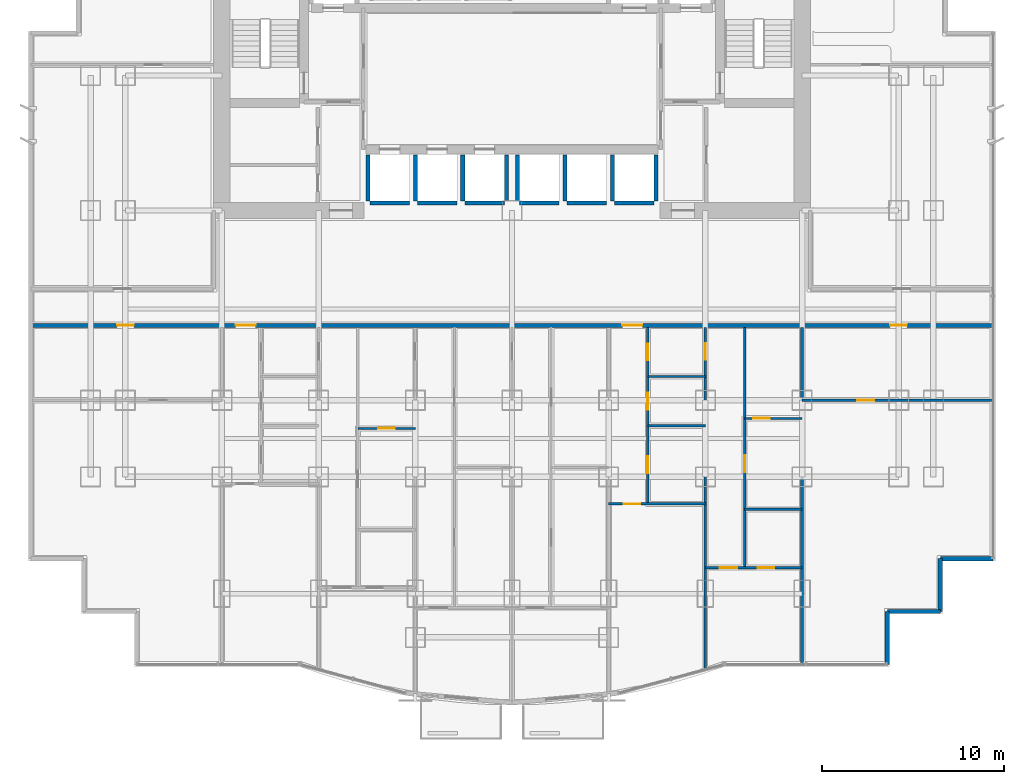
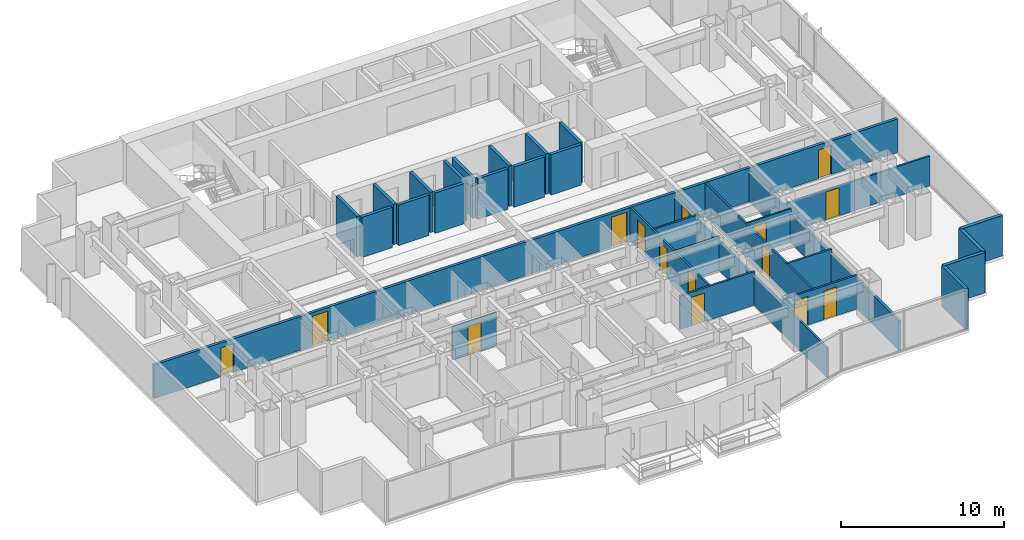
# One storey, part 8 of 12: 31 walls, 15 doors, 15 openings.
"""IFC4 building model written with IfcOpenShell, lengths in metres."""

from ifc_helpers import new_model, si_unit, direction, frame, frame_2d, origin, place, context, subcontext, project, spatial, rectangle, extrude, material, layer, layer_set, type_object, element, fill, save


model = new_model("IFC4")

# Units and contexts
model_context = context("Model", 3, precision=1e-05, world=origin(), true_north=direction((0.0, 1.0)))
body_context = subcontext(model_context, "Body", "Model", "MODEL_VIEW")
ifc_project = project(units=[si_unit("LENGTHUNIT", "METRE"), si_unit("AREAUNIT", "SQUARE_METRE"), si_unit("VOLUMEUNIT", "CUBIC_METRE"), si_unit("PLANEANGLEUNIT", "RADIAN"), si_unit("MASSUNIT", "GRAM", prefix="KILO")], contexts=[model_context])

# Site, building, storey
site_placement = place(None, origin())
site = spatial("IfcSite", under=ifc_project, at=site_placement, CompositionType="ELEMENT")
building_placement = place(site_placement, origin())
building = spatial("IfcBuilding", under=site, at=building_placement, Name="Qianlan Lanfeng Residences", CompositionType="ELEMENT")
storey_placement = place(building_placement, frame((0.0, 0.0, 67.10009765625)))
storey = spatial("IfcBuildingStorey", under=building, at=storey_placement, Name="L18", CompositionType="ELEMENT", Elevation=67.10009765625)

# Walls
ifc_material_1 = material(Name="Concrete C42", Category="concrete")
ifc_layer_1 = layer(ifc_material_1, 0.239990234375)
ifc_layer_set_1 = layer_set([ifc_layer_1], Name="Concrete C42")
wall_type_1 = type_object("IfcWallType", Name="EW-240", PredefinedType="SOLIDWALL", material=ifc_layer_set_1)
for number, where, z_axis, x_axis, name in (
    (1, (47.080078125, 0.320068359375, 0.0), (0.0, 0.0, 1.0), (0.0, 1.0, 0.0), "L18 Exterior Facade Spandrel Wall 7"),
    (2, (47.080078125, 3.219970703125, 0.0), (0.0, 0.0, 1.0), (1.0, 0.0, 0.0), "L18 Exterior Facade Spandrel Wall 8"),
):
    element("IfcWall", number, at=place(storey_placement, frame(where, z_axis=z_axis, x_axis=x_axis)), inside=storey, type_object=wall_type_1, Name=name, PredefinedType="SOLIDWALL", context=body_context, shape_type="SweptSolid", body=[
        extrude(rectangle(XDim=2.89990234375, YDim=0.239990234375, at=frame_2d((1.449951171875, 0.0))), origin(), (0.0, 0.0, 1.0), 3.02978515625),
    ])
wall_1_placement = place(storey_placement, frame((49.97998046875, 3.219970703125, 0.0), z_axis=(0.0, 0.0, 1.0), x_axis=(0.0, 1.0, 0.0)))
element("IfcWall", 3, at=wall_1_placement, inside=storey, type_object=wall_type_1, Name="L18 Exterior Facade Spandrel Wall 9", PredefinedType="SOLIDWALL", context=body_context, shape_type="SweptSolid", body=[
    extrude(rectangle(XDim=2.900146484375, YDim=0.239990234375, at=frame_2d((1.4501953125, 0.0))), origin(), (0.0, 0.0, 1.0), 3.02978515625),
])
wall_2_placement = place(storey_placement, frame((49.97998046875, 6.1201171875, 0.0), z_axis=(0.0, 0.0, 1.0), x_axis=(1.0, 0.0, 0.0)))
element("IfcWall", 4, at=wall_2_placement, inside=storey, type_object=wall_type_1, Name="L18 Exterior Facade Spandrel Wall 10", PredefinedType="SOLIDWALL", context=body_context, shape_type="SweptSolid", body=[
    extrude(rectangle(XDim=2.89990234375, YDim=0.239990234375, at=frame_2d((1.449951171875, 0.0))), origin(), (0.0, 0.0, 1.0), 3.02978515625),
])

# Wall, opening, door
ifc_material_2 = material(Name="Demountable Acoustic Framing Partition 110 mm")
ifc_layer_2 = layer(ifc_material_2, 0.110107421875)
ifc_layer_set_2 = layer_set([ifc_layer_2], Name="Demountable Acoustic Framing Partition 110 mm")
wall_type_2 = type_object("IfcWallType", Name="PW-110", PredefinedType="MOVABLE", material=ifc_layer_set_2)
wall_3_placement = place(storey_placement, frame((18.050048828125, 13.256103515625, 0.0), z_axis=(0.0, 0.0, 1.0), x_axis=(1.0, 0.0, 0.0)))
wall_3 = element("IfcWall", 5, at=wall_3_placement, inside=storey, type_object=wall_type_2, Name="L18 U01 Wardrobe Split", PredefinedType="MOVABLE", context=body_context, shape_type="SweptSolid", body=[
    extrude(rectangle(XDim=3.14990234375, YDim=0.110107421875, at=frame_2d((1.574951171875, 0.0))), origin(), (0.0, 0.0, 1.0), 2.52001953125),
])
opening_1_placement = place(wall_3_placement, frame((1.114990234375, 0.0, 0.0)))
opening_1 = element("IfcOpeningElement", 6, at=opening_1_placement, cuts=wall_3, Name="Opening L18-D25", PredefinedType="OPENING", context=body_context, shape_type="SweptSolid", body=[
    extrude(rectangle(XDim=0.919921875, YDim=2.14990234375, at=frame_2d((0.4599609375, 1.074951171875))), frame((0.0, 0.06494140625, 0.0), z_axis=(0.0, -1.0, 0.0), x_axis=(1.0, 0.0, 0.0)), (0.0, 0.0, 1.0), 0.130126953125),
])
ifc_material_3 = material(Name="Glazed Timber Kitchen/Study Door", Category="wood")
door_type_1 = type_object("IfcDoorType", Name="DT-INT", OperationType="NOTDEFINED", PredefinedType="DOOR", material=ifc_material_3)
door_1_placement = place(opening_1_placement, origin())
door_1 = element("IfcDoor", 7, at=door_1_placement, inside=storey, type_object=door_type_1, Name="L18 U01 Dressing Inner Door L18-D25 (DT-INT)", OperationType="SINGLE_SWING_LEFT", OverallHeight=2.14990234375, OverallWidth=0.919921875, PredefinedType="DOOR", context=body_context, shape_type="SweptSolid", body=[
    extrude(rectangle(XDim=0.919921875, YDim=2.14990234375, at=frame_2d((0.4599609375, 1.074951171875))), frame((0.0, 0.02490234375, 0.0), z_axis=(0.0, -1.0, 0.0), x_axis=(1.0, 0.0, 0.0)), (0.0, 0.0, 1.0), 0.050048828125),
])
fill(opening_1, door_1)

wall_4_placement = place(storey_placement, frame((39.25, 13.81005859375, 0.0), z_axis=(0.0, 0.0, 1.0), x_axis=(1.0, 0.0, 0.0)))
wall_4 = element("IfcWall", 8, at=wall_4_placement, inside=storey, type_object=wall_type_2, Name="L18 U02 Wardrobe Split", PredefinedType="MOVABLE", context=body_context, shape_type="SweptSolid", body=[
    extrude(rectangle(XDim=3.14990234375, YDim=0.110107421875, at=frame_2d((1.574951171875, 0.0))), origin(), (0.0, 0.0, 1.0), 2.52001953125),
])
opening_2_placement = place(wall_4_placement, frame((0.465087890625, 0.0, 0.0)))
opening_2 = element("IfcOpeningElement", 9, at=opening_2_placement, cuts=wall_4, Name="Opening L18-D41", PredefinedType="OPENING", context=body_context, shape_type="SweptSolid", body=[
    extrude(rectangle(XDim=0.919921875, YDim=2.14990234375, at=frame_2d((0.4599609375, 1.074951171875))), frame((0.0, 0.06494140625, 0.0), z_axis=(0.0, -1.0, 0.0), x_axis=(1.0, 0.0, 0.0)), (0.0, 0.0, 1.0), 0.130126953125),
])
door_2_placement = place(opening_2_placement, frame((0.919921875, 0.0, 0.0), z_axis=(0.0, 0.0, 1.0), x_axis=(-1.0, 0.0, 0.0)))
door_2 = element("IfcDoor", 10, at=door_2_placement, inside=storey, type_object=door_type_1, Name="L18 U02 Dressing Inner Door L18-D41 (DT-INT)", OperationType="SINGLE_SWING_RIGHT", OverallHeight=2.14990234375, OverallWidth=0.919921875, PredefinedType="DOOR", context=body_context, shape_type="SweptSolid", body=[
    extrude(rectangle(XDim=0.919921875, YDim=2.14990234375, at=frame_2d((0.4599609375, 1.074951171875))), frame((0.0, 0.02490234375, 0.0), z_axis=(0.0, -1.0, 0.0), x_axis=(1.0, 0.0, 0.0)), (0.0, 0.0, 1.0), 0.050048828125),
])
fill(opening_2, door_2)

ifc_material_4 = material(Name="Moisture-Resistant Gypsum Partition 135 mm")
ifc_layer_3 = layer(ifc_material_4, 0.135009765625)
ifc_layer_set_3 = layer_set([ifc_layer_3], Name="Moisture-Resistant Gypsum Partition 135 mm")
wall_type_3 = type_object("IfcWallType", Name="PW-135", PredefinedType="PARTITIONING", material=ifc_layer_set_3)
wall_5_placement = place(storey_placement, frame((37.10009765625, 0.076904296875, 0.0), z_axis=(0.0, 0.0, 1.0), x_axis=(0.0, 1.0, 0.0)))
wall_5 = element("IfcWall", 11, at=wall_5_placement, inside=storey, type_object=wall_type_3, Name="L18 U02 Bay Spine Wall 1", PredefinedType="PARTITIONING", context=body_context, shape_type="SweptSolid", body=[
    extrude(rectangle(XDim=18.72314453125, YDim=0.135009765625, at=frame_2d((9.361572265625, 0.0))), origin(), (0.0, 0.0, 1.0), 2.224853515625),
])
opening_3_placement = place(wall_5_placement, frame((16.93798828125, 0.0, 0.0)))
opening_3 = element("IfcOpeningElement", 12, at=opening_3_placement, cuts=wall_5, Name="Opening L18-D33", PredefinedType="OPENING", context=body_context, shape_type="SweptSolid", body=[
    extrude(rectangle(XDim=0.919921875, YDim=2.10498046875, at=frame_2d((0.4599609375, 1.052490234375))), frame((0.0, 0.07763671875, 0.0), z_axis=(0.0, -1.0, 0.0), x_axis=(1.0, 0.0, 0.0)), (0.0, 0.0, 1.0), 0.155029296875),
])
door_3_placement = place(opening_3_placement, origin())
door_3 = element("IfcDoor", 13, at=door_3_placement, inside=storey, type_object=door_type_1, Name="L18 U02 Internal Hall Door L18-D33 (DT-INT)", OperationType="SINGLE_SWING_LEFT", OverallHeight=2.10498046875, OverallWidth=0.919921875, PredefinedType="DOOR", context=body_context, shape_type="SweptSolid", body=[
    extrude(rectangle(XDim=0.919921875, YDim=2.10498046875, at=frame_2d((0.4599609375, 1.052490234375))), frame((0.0, 0.02490234375, 0.0), z_axis=(0.0, -1.0, 0.0), x_axis=(1.0, 0.0, 0.0)), (0.0, 0.0, 1.0), 0.050048828125),
])
fill(opening_3, door_3)

wall_6_placement = place(storey_placement, frame((31.800048828125, 9.113037109375, 0.0), z_axis=(0.0, 0.0, 1.0), x_axis=(1.0, 0.0, 0.0)))
wall_6 = element("IfcWall", 14, at=wall_6_placement, inside=storey, type_object=wall_type_3, Name="L18 U02 Living Divider", PredefinedType="PARTITIONING", context=body_context, shape_type="SweptSolid", body=[
    extrude(rectangle(XDim=5.300048828125, YDim=0.135009765625, at=frame_2d((2.64990234375, 0.0))), origin(), (0.0, 0.0, 1.0), 2.52001953125),
])
opening_4_placement = place(wall_6_placement, frame((0.81494140625, 0.0, 0.0)))
opening_4 = element("IfcOpeningElement", 15, at=opening_4_placement, cuts=wall_6, Name="Opening L18-D34", PredefinedType="OPENING", context=body_context, shape_type="SweptSolid", body=[
    extrude(rectangle(XDim=0.919921875, YDim=2.14990234375, at=frame_2d((0.4599609375, 1.074951171875))), frame((0.0, 0.07763671875, 0.0), z_axis=(0.0, -1.0, 0.0), x_axis=(1.0, 0.0, 0.0)), (0.0, 0.0, 1.0), 0.155029296875),
])
door_4_placement = place(opening_4_placement, origin())
door_4 = element("IfcDoor", 16, at=door_4_placement, inside=storey, type_object=door_type_1, Name="L18 U02 Living Passage Door L18-D34 (DT-INT)", OperationType="SINGLE_SWING_LEFT", OverallHeight=2.14990234375, OverallWidth=0.919921875, PredefinedType="DOOR", context=body_context, shape_type="SweptSolid", body=[
    extrude(rectangle(XDim=0.919921875, YDim=2.14990234375, at=frame_2d((0.4599609375, 1.074951171875))), frame((0.0, 0.02490234375, 0.0), z_axis=(0.0, -1.0, 0.0), x_axis=(1.0, 0.0, 0.0)), (0.0, 0.0, 1.0), 0.050048828125),
])
fill(opening_4, door_4)

# Wall, openings, doors
wall_7_placement = place(storey_placement, frame((33.949951171875, 9.113037109375, 0.0), z_axis=(0.0, 0.0, 1.0), x_axis=(0.0, 1.0, 0.0)))
wall_7 = element("IfcWall", 17, at=wall_7_placement, inside=storey, type_object=wall_type_3, Name="L18 U02 Entry Hall Spine", PredefinedType="PARTITIONING", context=body_context, shape_type="SweptSolid", body=[
    extrude(rectangle(XDim=9.68701171875, YDim=0.135009765625, at=frame_2d((4.843505859375, 0.0))), origin(), (0.0, 0.0, 1.0), 2.52001953125),
])
opening_5_placement = place(wall_7_placement, frame((1.68310546875, 0.0, 0.0)))
opening_5 = element("IfcOpeningElement", 18, at=opening_5_placement, cuts=wall_7, Name="Opening L18-D35", PredefinedType="OPENING", context=body_context, shape_type="SweptSolid", body=[
    extrude(rectangle(XDim=0.919921875, YDim=2.14990234375, at=frame_2d((0.4599609375, 1.074951171875))), frame((0.0, 0.07763671875, 0.0), z_axis=(0.0, -1.0, 0.0), x_axis=(1.0, 0.0, 0.0)), (0.0, 0.0, 1.0), 0.155029296875),
])
opening_6_placement = place(wall_7_placement, frame((5.177001953125, 0.0, 0.0)))
opening_6 = element("IfcOpeningElement", 19, at=opening_6_placement, cuts=wall_7, Name="Opening L18-D36", PredefinedType="OPENING", context=body_context, shape_type="SweptSolid", body=[
    extrude(rectangle(XDim=0.919921875, YDim=2.14990234375, at=frame_2d((0.4599609375, 1.074951171875))), frame((0.0, 0.07763671875, 0.0), z_axis=(0.0, -1.0, 0.0), x_axis=(1.0, 0.0, 0.0)), (0.0, 0.0, 1.0), 0.155029296875),
])
opening_7_placement = place(wall_7_placement, frame((7.886962890625, 0.0, 0.0)))
opening_7 = element("IfcOpeningElement", 20, at=opening_7_placement, cuts=wall_7, Name="Opening L18-D37", PredefinedType="OPENING", context=body_context, shape_type="SweptSolid", body=[
    extrude(rectangle(XDim=0.89990234375, YDim=2.14990234375, at=frame_2d((0.449951171875, 1.074951171875))), frame((0.0, 0.07763671875, 0.0), z_axis=(0.0, -1.0, 0.0), x_axis=(1.0, 0.0, 0.0)), (0.0, 0.0, 1.0), 0.155029296875),
])
door_5_placement = place(opening_5_placement, origin())
door_5 = element("IfcDoor", 21, at=door_5_placement, inside=storey, type_object=door_type_1, Name="L18 U02 Study Door L18-D35 (DT-INT)", OperationType="SINGLE_SWING_LEFT", OverallHeight=2.14990234375, OverallWidth=0.919921875, PredefinedType="DOOR", context=body_context, shape_type="SweptSolid", body=[
    extrude(rectangle(XDim=0.919921875, YDim=2.14990234375, at=frame_2d((0.4599609375, 1.074951171875))), frame((0.0, 0.02490234375, 0.0), z_axis=(0.0, -1.0, 0.0), x_axis=(1.0, 0.0, 0.0)), (0.0, 0.0, 1.0), 0.050048828125),
])
fill(opening_5, door_5)
door_6_placement = place(opening_6_placement, origin())
door_6 = element("IfcDoor", 22, at=door_6_placement, inside=storey, type_object=door_type_1, Name="L18 U02 Kitchen Door L18-D36 (DT-INT)", OperationType="SINGLE_SWING_RIGHT", OverallHeight=2.14990234375, OverallWidth=0.919921875, PredefinedType="DOOR", context=body_context, shape_type="SweptSolid", body=[
    extrude(rectangle(XDim=0.919921875, YDim=2.14990234375, at=frame_2d((0.4599609375, 1.074951171875))), frame((0.0, 0.02490234375, 0.0), z_axis=(0.0, -1.0, 0.0), x_axis=(1.0, 0.0, 0.0)), (0.0, 0.0, 1.0), 0.050048828125),
])
fill(opening_6, door_6)
ifc_material_5 = material(Name="Moisture-Resistant Timber Leaf", Category="wood")
door_type_2 = type_object("IfcDoorType", Name="DT-WC", OperationType="NOTDEFINED", PredefinedType="DOOR", material=ifc_material_5)
door_7_placement = place(opening_7_placement, origin())
door_7 = element("IfcDoor", 23, at=door_7_placement, inside=storey, type_object=door_type_2, Name="L18 U02 Bathroom Door L18-D37 (DT-WC)", OperationType="SINGLE_SWING_LEFT", OverallHeight=2.14990234375, OverallWidth=0.89990234375, PredefinedType="DOOR", context=body_context, shape_type="SweptSolid", body=[
    extrude(rectangle(XDim=0.89990234375, YDim=2.14990234375, at=frame_2d((0.449951171875, 1.074951171875))), frame((0.0, 0.02490234375, 0.0), z_axis=(0.0, -1.0, 0.0), x_axis=(1.0, 0.0, 0.0)), (0.0, 0.0, 1.0), 0.050048828125),
])
fill(opening_7, door_7)

# Walls
for number, where, z_axis, x_axis, name in (
    (24, (33.949951171875, 13.39990234375, 0.0), (0.0, 0.0, 1.0), (1.0, 0.0, 0.0), "L18 U02 Kitchen South Wall"),
    (25, (33.949951171875, 16.10009765625, 0.0), (0.0, 0.0, 1.0), (1.0, 0.0, 0.0), "L18 U02 Bathroom South Wall"),
):
    element("IfcWall", number, at=place(storey_placement, frame(where, z_axis=z_axis, x_axis=x_axis)), inside=storey, type_object=wall_type_3, Name=name, PredefinedType="PARTITIONING", context=body_context, shape_type="SweptSolid", body=[
        extrude(rectangle(XDim=3.150146484375, YDim=0.135009765625, at=frame_2d((1.5751953125, 0.0))), origin(), (0.0, 0.0, 1.0), 2.52001953125),
    ])

# Wall, openings, doors
wall_8_placement = place(storey_placement, frame((37.10009765625, 5.6201171875, 0.0), z_axis=(0.0, 0.0, 1.0), x_axis=(1.0, 0.0, 0.0)))
wall_8 = element("IfcWall", 26, at=wall_8_placement, inside=storey, type_object=wall_type_3, Name="L18 U02 Master Bedroom North Wall", PredefinedType="PARTITIONING", context=body_context, shape_type="SweptSolid", body=[
    extrude(rectangle(XDim=5.2998046875, YDim=0.135009765625, at=frame_2d((2.64990234375, 0.0))), origin(), (0.0, 0.0, 1.0), 2.52001953125),
])
opening_8_placement = place(wall_8_placement, frame((0.800048828125, 0.0, 0.0)))
opening_8 = element("IfcOpeningElement", 27, at=opening_8_placement, cuts=wall_8, Name="Opening L18-D38", PredefinedType="OPENING", context=body_context, shape_type="SweptSolid", body=[
    extrude(rectangle(XDim=0.949951171875, YDim=2.14990234375, at=frame_2d((0.47509765625, 1.074951171875))), frame((0.0, 0.07763671875, 0.0), z_axis=(0.0, -1.0, 0.0), x_axis=(1.0, 0.0, 0.0)), (0.0, 0.0, 1.0), 0.155029296875),
])
opening_9_placement = place(wall_8_placement, frame((2.875, 0.0, 0.0)))
opening_9 = element("IfcOpeningElement", 28, at=opening_9_placement, cuts=wall_8, Name="Opening L18-D39", PredefinedType="OPENING", context=body_context, shape_type="SweptSolid", body=[
    extrude(rectangle(XDim=0.89990234375, YDim=2.14990234375, at=frame_2d((0.449951171875, 1.074951171875))), frame((0.0, 0.07763671875, 0.0), z_axis=(0.0, -1.0, 0.0), x_axis=(1.0, 0.0, 0.0)), (0.0, 0.0, 1.0), 0.155029296875),
])
ifc_material_6 = material(Name="Painted Solid-Core Timber Leaf", Category="wood")
door_type_3 = type_object("IfcDoorType", Name="DT-BED", OperationType="NOTDEFINED", PredefinedType="DOOR", material=ifc_material_6)
door_8_placement = place(opening_8_placement, origin())
door_8 = element("IfcDoor", 29, at=door_8_placement, inside=storey, type_object=door_type_3, Name="L18 U02 Master Bedroom Door L18-D38 (DT-BED)", OperationType="SINGLE_SWING_LEFT", OverallHeight=2.14990234375, OverallWidth=0.949951171875, PredefinedType="DOOR", context=body_context, shape_type="SweptSolid", body=[
    extrude(rectangle(XDim=0.949951171875, YDim=2.14990234375, at=frame_2d((0.47509765625, 1.074951171875))), frame((0.0, 0.02490234375, 0.0), z_axis=(0.0, -1.0, 0.0), x_axis=(1.0, 0.0, 0.0)), (0.0, 0.0, 1.0), 0.050048828125),
])
fill(opening_8, door_8)
door_9_placement = place(opening_9_placement, origin())
door_9 = element("IfcDoor", 30, at=door_9_placement, inside=storey, type_object=door_type_2, Name="L18 U02 En-Suite Bathroom Door L18-D39 (DT-WC)", OperationType="SINGLE_SWING_RIGHT", OverallHeight=2.14990234375, OverallWidth=0.89990234375, PredefinedType="DOOR", context=body_context, shape_type="SweptSolid", body=[
    extrude(rectangle(XDim=0.89990234375, YDim=2.14990234375, at=frame_2d((0.449951171875, 1.074951171875))), frame((0.0, 0.02490234375, 0.0), z_axis=(0.0, -1.0, 0.0), x_axis=(1.0, 0.0, 0.0)), (0.0, 0.0, 1.0), 0.050048828125),
])
fill(opening_9, door_9)

# Wall, opening, door
wall_9_placement = place(storey_placement, frame((39.25, 5.6201171875, 0.0), z_axis=(0.0, 0.0, 1.0), x_axis=(0.0, 1.0, 0.0)))
wall_9 = element("IfcWall", 31, at=wall_9_placement, inside=storey, type_object=wall_type_3, Name="L18 U02 Master Passage Wall", PredefinedType="PARTITIONING", context=body_context, shape_type="SweptSolid", body=[
    extrude(rectangle(XDim=13.179931640625, YDim=0.135009765625, at=frame_2d((6.58984375, 0.0))), origin(), (0.0, 0.0, 1.0), 2.52001953125),
])
opening_10_placement = place(wall_9_placement, frame((5.235107421875, 0.0, 0.0)))
opening_10 = element("IfcOpeningElement", 32, at=opening_10_placement, cuts=wall_9, Name="Opening L18-D40", PredefinedType="OPENING", context=body_context, shape_type="SweptSolid", body=[
    extrude(rectangle(XDim=0.919921875, YDim=2.14990234375, at=frame_2d((0.4599609375, 1.074951171875))), frame((0.0, 0.07763671875, 0.0), z_axis=(0.0, -1.0, 0.0), x_axis=(1.0, 0.0, 0.0)), (0.0, 0.0, 1.0), 0.155029296875),
])
door_10_placement = place(opening_10_placement, origin())
door_10 = element("IfcDoor", 33, at=door_10_placement, inside=storey, type_object=door_type_1, Name="L18 U02 Wardrobe Door L18-D40 (DT-INT)", OperationType="SINGLE_SWING_RIGHT", OverallHeight=2.14990234375, OverallWidth=0.919921875, PredefinedType="DOOR", context=body_context, shape_type="SweptSolid", body=[
    extrude(rectangle(XDim=0.919921875, YDim=2.14990234375, at=frame_2d((0.4599609375, 1.074951171875))), frame((0.0, 0.02490234375, 0.0), z_axis=(0.0, -1.0, 0.0), x_axis=(1.0, 0.0, 0.0)), (0.0, 0.0, 1.0), 0.050048828125),
])
fill(opening_10, door_10)

# Wall
wall_10_placement = place(storey_placement, frame((39.25, 8.820068359375, 0.0), z_axis=(0.0, 0.0, 1.0), x_axis=(1.0, 0.0, 0.0)))
element("IfcWall", 34, at=wall_10_placement, inside=storey, type_object=wall_type_3, Name="L18 U02 En-Suite North Wall", PredefinedType="PARTITIONING", context=body_context, shape_type="SweptSolid", body=[
    extrude(rectangle(XDim=3.14990234375, YDim=0.135009765625, at=frame_2d((1.574951171875, 0.0))), origin(), (0.0, 0.0, 1.0), 2.52001953125),
])

# Wall, opening, door
wall_11_placement = place(storey_placement, frame((42.39990234375, 14.800048828125, 0.0), z_axis=(0.0, 0.0, 1.0), x_axis=(1.0, 0.0, 0.0)))
wall_11 = element("IfcWall", 35, at=wall_11_placement, inside=storey, type_object=wall_type_3, Name="L18 SEP Mid Partition", PredefinedType="PARTITIONING", context=body_context, shape_type="SweptSolid", body=[
    extrude(rectangle(XDim=10.380126953125, YDim=0.135009765625, at=frame_2d((5.18994140625, 0.0))), origin(), (0.0, 0.0, 1.0), 2.224853515625),
])
opening_11_placement = place(wall_11_placement, frame((3.030029296875, 0.0, 0.0)))
opening_11 = element("IfcOpeningElement", 36, at=opening_11_placement, cuts=wall_11, Name="Opening L18-D44", PredefinedType="OPENING", context=body_context, shape_type="SweptSolid", body=[
    extrude(rectangle(XDim=0.919921875, YDim=2.10498046875, at=frame_2d((0.4599609375, 1.052490234375))), frame((0.0, 0.07763671875, 0.0), z_axis=(0.0, -1.0, 0.0), x_axis=(1.0, 0.0, 0.0)), (0.0, 0.0, 1.0), 0.155029296875),
])
door_11_placement = place(opening_11_placement, origin())
door_11 = element("IfcDoor", 37, at=door_11_placement, inside=storey, type_object=door_type_1, Name="L18 SEP Inner Door L18-D44 (DT-INT)", OperationType="SINGLE_SWING_RIGHT", OverallHeight=2.10498046875, OverallWidth=0.919921875, PredefinedType="DOOR", context=body_context, shape_type="SweptSolid", body=[
    extrude(rectangle(XDim=0.919921875, YDim=2.10498046875, at=frame_2d((0.4599609375, 1.052490234375))), frame((0.0, 0.02490234375, 0.0), z_axis=(0.0, -1.0, 0.0), x_axis=(1.0, 0.0, 0.0)), (0.0, 0.0, 1.0), 0.050048828125),
])
fill(opening_11, door_11)

# Wall
ifc_material_7 = material(Name="Double-Layer Acoustic Gypsum Stud Wall 180 mm")
ifc_layer_4 = layer(ifc_material_7, 0.179931640625)
ifc_layer_set_4 = layer_set([ifc_layer_4], Name="Double-Layer Acoustic Gypsum Stud Wall 180 mm")
wall_type_4 = type_object("IfcWallType", Name="PW-180", PredefinedType="PARTITIONING", material=ifc_layer_set_4)
wall_12_placement = place(storey_placement, frame((42.39990234375, 0.419921875, 0.0), z_axis=(0.0, 0.0, 1.0), x_axis=(0.0, 1.0, 0.0)))
element("IfcWall", 38, at=wall_12_placement, inside=storey, type_object=wall_type_4, Name="L18 Wing Boundary Party Wall E0", PredefinedType="PARTITIONING", context=body_context, shape_type="SweptSolid", body=[
    extrude(rectangle(XDim=18.380126953125, YDim=0.179931640625, at=frame_2d((9.18994140625, 0.0))), origin(), (0.0, 0.0, 1.0), 2.224853515625),
])

# Wall, openings, doors
ifc_material_8 = material(Name="Autoclaved Aerated Concrete Blockwork 200 mm", Category="masonry")
ifc_layer_5 = layer(ifc_material_8, 0.199951171875)
ifc_layer_set_5 = layer_set([ifc_layer_5], Name="Autoclaved Aerated Concrete Blockwork 200 mm")
wall_type_5 = type_object("IfcWallType", Name="PW-200", PredefinedType="PARTITIONING", material=ifc_layer_set_5)
wall_13_placement = place(storey_placement, frame((0.1201171875, 18.89990234375, 0.0), z_axis=(0.0, 0.0, 1.0), x_axis=(1.0, 0.0, 0.0)))
wall_13 = element("IfcWall", 39, at=wall_13_placement, inside=storey, type_object=wall_type_5, Name="L18 Residential Corridor South Fire Wall", PredefinedType="PARTITIONING", context=body_context, shape_type="SweptSolid", body=[
    extrude(rectangle(XDim=52.759765625, YDim=0.199951171875, at=frame_2d((26.3798828125, 0.0))), origin(), (0.0, 0.0, 1.0), 2.52001953125),
])
opening_12_placement = place(wall_13_placement, frame((11.22998046875, 0.0, 0.0)))
opening_12 = element("IfcOpeningElement", 40, at=opening_12_placement, cuts=wall_13, Name="Opening L18-D14", PredefinedType="OPENING", context=body_context, shape_type="SweptSolid", body=[
    extrude(rectangle(XDim=1.10009765625, YDim=2.25, at=frame_2d((0.550048828125, 1.125))), frame((0.0, 0.10986328125, 0.0), z_axis=(0.0, -1.0, 0.0), x_axis=(1.0, 0.0, 0.0)), (0.0, 0.0, 1.0), 0.219970703125),
])
opening_13_placement = place(wall_13_placement, frame((32.429931640625, 0.0, 0.0)))
opening_13 = element("IfcOpeningElement", 41, at=opening_13_placement, cuts=wall_13, Name="Opening L18-D32", PredefinedType="OPENING", context=body_context, shape_type="SweptSolid", body=[
    extrude(rectangle(XDim=1.10009765625, YDim=2.25, at=frame_2d((0.550048828125, 1.125))), frame((0.0, 0.10986328125, 0.0), z_axis=(0.0, -1.0, 0.0), x_axis=(1.0, 0.0, 0.0)), (0.0, 0.0, 1.0), 0.219970703125),
])
opening_14_placement = place(wall_13_placement, frame((4.735107421875, 0.0, 0.0)))
opening_14 = element("IfcOpeningElement", 42, at=opening_14_placement, cuts=wall_13, Name="Opening L18-D43", PredefinedType="OPENING", context=body_context, shape_type="SweptSolid", body=[
    extrude(rectangle(XDim=0.919921875, YDim=2.14990234375, at=frame_2d((0.4599609375, 1.074951171875))), frame((0.0, 0.10986328125, 0.0), z_axis=(0.0, -1.0, 0.0), x_axis=(1.0, 0.0, 0.0)), (0.0, 0.0, 1.0), 0.219970703125),
])
opening_15_placement = place(wall_13_placement, frame((47.10498046875, 0.0, 0.0)))
opening_15 = element("IfcOpeningElement", 43, at=opening_15_placement, cuts=wall_13, Name="Opening L18-D45", PredefinedType="OPENING", context=body_context, shape_type="SweptSolid", body=[
    extrude(rectangle(XDim=0.919921875, YDim=2.14990234375, at=frame_2d((0.4599609375, 1.074951171875))), frame((0.0, 0.10986328125, 0.0), z_axis=(0.0, -1.0, 0.0), x_axis=(1.0, 0.0, 0.0)), (0.0, 0.0, 1.0), 0.219970703125),
])
door_12_placement = place(opening_14_placement, origin())
door_12 = element("IfcDoor", 44, at=door_12_placement, inside=storey, type_object=door_type_1, Name="L18 SWP Corridor Door L18-D43 (DT-INT)", OperationType="SINGLE_SWING_LEFT", OverallHeight=2.14990234375, OverallWidth=0.919921875, PredefinedType="DOOR", context=body_context, shape_type="SweptSolid", body=[
    extrude(rectangle(XDim=0.919921875, YDim=2.14990234375, at=frame_2d((0.4599609375, 1.074951171875))), frame((0.0, 0.02490234375, 0.0), z_axis=(0.0, -1.0, 0.0), x_axis=(1.0, 0.0, 0.0)), (0.0, 0.0, 1.0), 0.050048828125),
])
fill(opening_14, door_12)
door_13_placement = place(opening_15_placement, origin())
door_13 = element("IfcDoor", 45, at=door_13_placement, inside=storey, type_object=door_type_1, Name="L18 SEP Corridor Door L18-D45 (DT-INT)", OperationType="SINGLE_SWING_LEFT", OverallHeight=2.14990234375, OverallWidth=0.919921875, PredefinedType="DOOR", context=body_context, shape_type="SweptSolid", body=[
    extrude(rectangle(XDim=0.919921875, YDim=2.14990234375, at=frame_2d((0.4599609375, 1.074951171875))), frame((0.0, 0.02490234375, 0.0), z_axis=(0.0, -1.0, 0.0), x_axis=(1.0, 0.0, 0.0)), (0.0, 0.0, 1.0), 0.050048828125),
])
fill(opening_15, door_13)
ifc_material_9 = material(Name="Solid-Core Oak Veneer Fire Door")
door_type_4 = type_object("IfcDoorType", Name="DT-UNIT", OperationType="NOTDEFINED", PredefinedType="DOOR", material=ifc_material_9)
door_14_placement = place(opening_12_placement, origin())
door_14 = element("IfcDoor", 46, at=door_14_placement, inside=storey, type_object=door_type_4, Name="L18 Apartment U01 Entrance Door L18-D14 (DT-UNIT)", OperationType="SINGLE_SWING_RIGHT", OverallHeight=2.25, OverallWidth=1.10009765625, PredefinedType="DOOR", context=body_context, shape_type="SweptSolid", body=[
    extrude(rectangle(XDim=1.10009765625, YDim=2.25, at=frame_2d((0.550048828125, 1.125))), frame((0.0, 0.02490234375, 0.0), z_axis=(0.0, -1.0, 0.0), x_axis=(1.0, 0.0, 0.0)), (0.0, 0.0, 1.0), 0.050048828125),
])
fill(opening_12, door_14)
door_15_placement = place(opening_13_placement, origin())
door_15 = element("IfcDoor", 47, at=door_15_placement, inside=storey, type_object=door_type_4, Name="L18 Apartment U02 Entrance Door L18-D32 (DT-UNIT)", OperationType="SINGLE_SWING_RIGHT", OverallHeight=2.25, OverallWidth=1.10009765625, PredefinedType="DOOR", context=body_context, shape_type="SweptSolid", body=[
    extrude(rectangle(XDim=1.10009765625, YDim=2.25, at=frame_2d((0.550048828125, 1.125))), frame((0.0, 0.02490234375, 0.0), z_axis=(0.0, -1.0, 0.0), x_axis=(1.0, 0.0, 0.0)), (0.0, 0.0, 1.0), 0.050048828125),
])
fill(opening_13, door_15)

# Walls
ifc_material_10 = material(Name="Concrete C49", Category="concrete")
ifc_layer_6 = layer(ifc_material_10, 0.219970703125)
ifc_layer_set_6 = layer_set([ifc_layer_6], Name="Concrete C49")
wall_type_6 = type_object("IfcWallType", Name="SHW-220", PredefinedType="SOLIDWALL", material=ifc_layer_set_6)
wall_14_placement = place(storey_placement, frame((18.60009765625, 25.719970703125, 0.0), z_axis=(0.0, 0.0, 1.0), x_axis=(0.0, 1.0, 0.0)))
element("IfcWall", 48, at=wall_14_placement, inside=storey, type_object=wall_type_6, Name="L18 Lift PL-L1 Shaft Wall W", PredefinedType="SOLIDWALL", context=body_context, shape_type="SweptSolid", body=[
    extrude(rectangle(XDim=2.530029296875, YDim=0.219970703125, at=frame_2d((1.26513671875, 0.0))), origin(), (0.0, 0.0, 1.0), 3.02978515625),
])
wall_15_placement = place(storey_placement, frame((18.719970703125, 25.60009765625, 0.0), z_axis=(0.0, 0.0, 1.0), x_axis=(1.0, 0.0, 0.0)))
element("IfcWall", 49, at=wall_15_placement, inside=storey, type_object=wall_type_6, Name="L18 Lift PL-L1 Shaft Back Wall S", PredefinedType="SOLIDWALL", context=body_context, shape_type="SweptSolid", body=[
    extrude(rectangle(XDim=2.159912109375, YDim=0.219970703125, at=frame_2d((1.080078125, 0.0))), origin(), (0.0, 0.0, 1.0), 3.02978515625),
])
wall_16_placement = place(storey_placement, frame((21.199951171875, 25.719970703125, 0.0), z_axis=(0.0, 0.0, 1.0), x_axis=(0.0, 1.0, 0.0)))
element("IfcWall", 50, at=wall_16_placement, inside=storey, type_object=wall_type_6, Name="L18 Lift PL-L2 Shaft Wall W", PredefinedType="SOLIDWALL", context=body_context, shape_type="SweptSolid", body=[
    extrude(rectangle(XDim=2.530029296875, YDim=0.219970703125, at=frame_2d((1.26513671875, 0.0))), origin(), (0.0, 0.0, 1.0), 3.02978515625),
])
wall_17_placement = place(storey_placement, frame((21.320068359375, 25.60009765625, 0.0), z_axis=(0.0, 0.0, 1.0), x_axis=(1.0, 0.0, 0.0)))
element("IfcWall", 51, at=wall_17_placement, inside=storey, type_object=wall_type_6, Name="L18 Lift PL-L2 Shaft Back Wall S", PredefinedType="SOLIDWALL", context=body_context, shape_type="SweptSolid", body=[
    extrude(rectangle(XDim=2.159912109375, YDim=0.219970703125, at=frame_2d((1.080078125, 0.0))), origin(), (0.0, 0.0, 1.0), 3.02978515625),
])
for number, where, z_axis, x_axis, name in (
    (52, (23.800048828125, 25.719970703125, 0.0), (0.0, 0.0, 1.0), (0.0, 1.0, 0.0), "L18 Lift PL-L3 Shaft Wall W"),
    (53, (26.199951171875, 25.719970703125, 0.0), (0.0, 0.0, 1.0), (0.0, 1.0, 0.0), "L18 Lift PL-L3 Shaft Wall E"),
):
    element("IfcWall", number, at=place(storey_placement, frame(where, z_axis=z_axis, x_axis=x_axis)), inside=storey, type_object=wall_type_6, Name=name, PredefinedType="SOLIDWALL", context=body_context, shape_type="SweptSolid", body=[
        extrude(rectangle(XDim=2.530029296875, YDim=0.219970703125, at=frame_2d((1.26513671875, 0.0))), origin(), (0.0, 0.0, 1.0), 3.02978515625),
    ])
wall_18_placement = place(storey_placement, frame((23.919921875, 25.60009765625, 0.0), z_axis=(0.0, 0.0, 1.0), x_axis=(1.0, 0.0, 0.0)))
element("IfcWall", 54, at=wall_18_placement, inside=storey, type_object=wall_type_6, Name="L18 Lift PL-L3 Shaft Back Wall S", PredefinedType="SOLIDWALL", context=body_context, shape_type="SweptSolid", body=[
    extrude(rectangle(XDim=2.16015625, YDim=0.219970703125, at=frame_2d((1.080078125, 0.0))), origin(), (0.0, 0.0, 1.0), 3.02978515625),
])
wall_19_placement = place(storey_placement, frame((26.800048828125, 25.719970703125, 0.0), z_axis=(0.0, 0.0, 1.0), x_axis=(0.0, 1.0, 0.0)))
element("IfcWall", 55, at=wall_19_placement, inside=storey, type_object=wall_type_6, Name="L18 Lift PL-M1 Shaft Wall W", PredefinedType="SOLIDWALL", context=body_context, shape_type="SweptSolid", body=[
    extrude(rectangle(XDim=2.530029296875, YDim=0.219970703125, at=frame_2d((1.26513671875, 0.0))), origin(), (0.0, 0.0, 1.0), 3.02978515625),
])
wall_20_placement = place(storey_placement, frame((26.919921875, 25.60009765625, 0.0), z_axis=(0.0, 0.0, 1.0), x_axis=(1.0, 0.0, 0.0)))
element("IfcWall", 56, at=wall_20_placement, inside=storey, type_object=wall_type_6, Name="L18 Lift PL-M1 Shaft Back Wall S", PredefinedType="SOLIDWALL", context=body_context, shape_type="SweptSolid", body=[
    extrude(rectangle(XDim=2.16015625, YDim=0.219970703125, at=frame_2d((1.080078125, 0.0))), origin(), (0.0, 0.0, 1.0), 3.02978515625),
])
wall_21_placement = place(storey_placement, frame((29.39990234375, 25.719970703125, 0.0), z_axis=(0.0, 0.0, 1.0), x_axis=(0.0, 1.0, 0.0)))
element("IfcWall", 57, at=wall_21_placement, inside=storey, type_object=wall_type_6, Name="L18 Lift PL-M2 Shaft Wall W", PredefinedType="SOLIDWALL", context=body_context, shape_type="SweptSolid", body=[
    extrude(rectangle(XDim=2.530029296875, YDim=0.219970703125, at=frame_2d((1.26513671875, 0.0))), origin(), (0.0, 0.0, 1.0), 3.02978515625),
])
wall_22_placement = place(storey_placement, frame((29.52001953125, 25.60009765625, 0.0), z_axis=(0.0, 0.0, 1.0), x_axis=(1.0, 0.0, 0.0)))
element("IfcWall", 58, at=wall_22_placement, inside=storey, type_object=wall_type_6, Name="L18 Lift PL-M2 Shaft Back Wall S", PredefinedType="SOLIDWALL", context=body_context, shape_type="SweptSolid", body=[
    extrude(rectangle(XDim=2.159912109375, YDim=0.219970703125, at=frame_2d((1.080078125, 0.0))), origin(), (0.0, 0.0, 1.0), 3.02978515625),
])
for number, where, z_axis, x_axis, name in (
    (59, (32.0, 25.719970703125, 0.0), (0.0, 0.0, 1.0), (0.0, 1.0, 0.0), "L18 Lift PL-M3 Shaft Wall W"),
    (60, (34.39990234375, 25.719970703125, 0.0), (0.0, 0.0, 1.0), (0.0, 1.0, 0.0), "L18 Lift PL-M3 Shaft Wall E"),
):
    element("IfcWall", number, at=place(storey_placement, frame(where, z_axis=z_axis, x_axis=x_axis)), inside=storey, type_object=wall_type_6, Name=name, PredefinedType="SOLIDWALL", context=body_context, shape_type="SweptSolid", body=[
        extrude(rectangle(XDim=2.530029296875, YDim=0.219970703125, at=frame_2d((1.26513671875, 0.0))), origin(), (0.0, 0.0, 1.0), 3.02978515625),
    ])
wall_23_placement = place(storey_placement, frame((32.1201171875, 25.60009765625, 0.0), z_axis=(0.0, 0.0, 1.0), x_axis=(1.0, 0.0, 0.0)))
element("IfcWall", 61, at=wall_23_placement, inside=storey, type_object=wall_type_6, Name="L18 Lift PL-M3 Shaft Back Wall S", PredefinedType="SOLIDWALL", context=body_context, shape_type="SweptSolid", body=[
    extrude(rectangle(XDim=2.159912109375, YDim=0.219970703125, at=frame_2d((1.080078125, 0.0))), origin(), (0.0, 0.0, 1.0), 3.02978515625),
])

save(model, "model.ifc")
